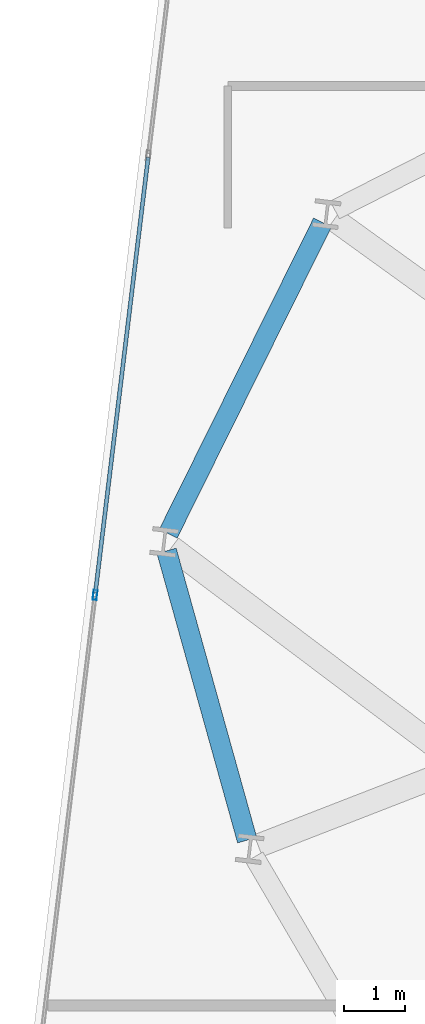
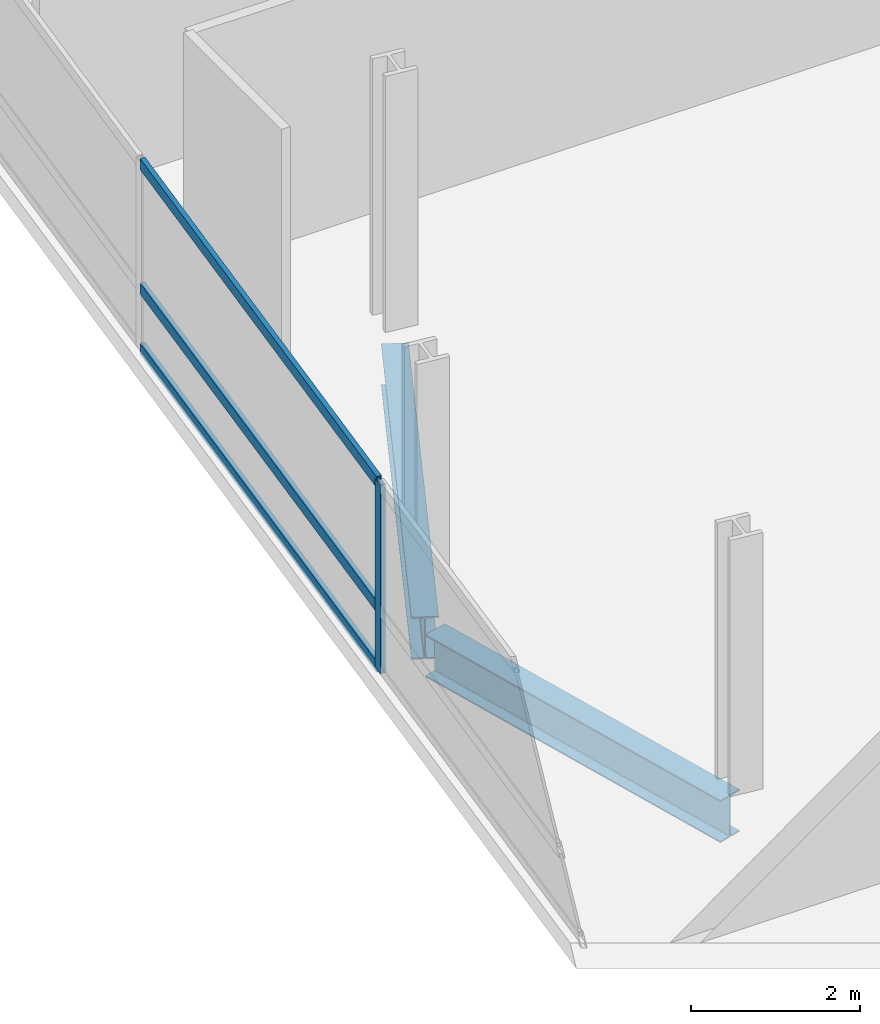
# One storey, part 8 of 26: 4 members, 2 beams, 1 element without a shape of its own.
"""IFC4 building model written with IfcOpenShell, lengths in metres."""

from ifc_helpers import new_model, si_unit, direction, frame, origin, origin_2d, place, context, subcontext, project, spatial, hollow_rectangle, i_section, extrude, material, layer, layer_set, material_profile, profile_set, type_object, element, aggregate, save


model = new_model("IFC4")

# Units and contexts
model_context = context("Model", 3, precision=1e-05, world=origin(), true_north=direction((0.0, 1.0)))
body_context = subcontext(model_context, "Body", "Model", "MODEL_VIEW")
ifc_project = project(units=[si_unit("LENGTHUNIT", "METRE"), si_unit("AREAUNIT", "SQUARE_METRE"), si_unit("VOLUMEUNIT", "CUBIC_METRE"), si_unit("PLANEANGLEUNIT", "RADIAN"), si_unit("MASSUNIT", "GRAM", prefix="KILO")], contexts=[model_context])

# Site, building, storey
site_placement = place(None, origin())
site = spatial("IfcSite", under=ifc_project, at=site_placement, CompositionType="ELEMENT")
building_placement = place(site_placement, origin())
building = spatial("IfcBuilding", under=site, at=building_placement, Name="Varnelok Gate Tower", CompositionType="ELEMENT")
storey_placement = place(building_placement, frame((0.0, 0.0, 151.300048828125)))
storey = spatial("IfcBuildingStorey", under=building, at=storey_placement, Name="L38", CompositionType="ELEMENT", Elevation=151.300048828125)

# Beams
ifc_material_1 = material(Name="Structural Steel ASTM A992 Grade 50", Category="steel")
ifc_material_profile_1 = material_profile(ifc_material_1, i_section(OverallWidth=0.323974609375, OverallDepth=0.611083984375, WebThickness=0.0126953125, FlangeThickness=0.01904296875, FilletRadius=0.01806640625, at=origin_2d()), Name="W24X104")
ifc_profile_set_1 = profile_set([ifc_material_profile_1], Name="Structural Steel ASTM A992 Grade 50")
beam_type = type_object("IfcBeamType", Name="BM-SPN-W24X104", PredefinedType="SPANDREL", material=ifc_profile_set_1)
beam_1_placement = place(storey_placement, frame((6.54052734375, 39.391357421875, -0.5556640625), z_axis=(-0.444186129993, -0.89593452993, 0.0), x_axis=(0.89593452993, -0.444186129993, 0.0)))
element("IfcBeam", 1, at=beam_1_placement, inside=storey, type_object=beam_type, Name="L38 Perimeter Spandrel Beam 14", PredefinedType="SPANDREL", context=body_context, shape_type="SweptSolid", body=[
    extrude(i_section(OverallWidth=0.323974609375, OverallDepth=0.611083984375, WebThickness=0.0126953125, FlangeThickness=0.01904296875, FilletRadius=0.01806640625, at=origin_2d()), origin(), (0.0, 0.0, 1.0), 5.649658203125),
])
beam_2_placement = place(storey_placement, frame((4.004638671875, 34.050537109375, -0.5556640625), z_axis=(0.268350251133, -0.963321411948, 0.0), x_axis=(0.963321411948, 0.268350251133, 0.0)))
element("IfcBeam", 2, at=beam_2_placement, inside=storey, type_object=beam_type, Name="L38 Perimeter Spandrel Beam 15", PredefinedType="SPANDREL", context=body_context, shape_type="SweptSolid", body=[
    extrude(i_section(OverallWidth=0.323974609375, OverallDepth=0.611083984375, WebThickness=0.0126953125, FlangeThickness=0.01904296875, FilletRadius=0.01806640625, at=origin_2d()), origin(), (0.0, 0.0, 1.0), 4.8837890625),
])

# Curtain wall, members
ifc_material_2 = material(Name="Anodized Aluminum Alloy 6063-T6", Category="aluminium")
ifc_layer = layer(ifc_material_2, 0.179931640625)
ifc_layer_set = layer_set([ifc_layer], Name="Anodized Aluminum Alloy 6063-T6")
curtain_wall_type = type_object("IfcCurtainWallType", Name="CW3-HOTEL-VISION", PredefinedType="USERDEFINED", material=ifc_layer_set)
curtain_wall_placement = place(storey_placement, origin())
curtain_wall = element("IfcCurtainWall", 3, at=curtain_wall_placement, inside=storey, type_object=curtain_wall_type, Name="L38 West End Vision Curtain Wall", ObjectType="UNITISED CURTAIN WALL", PredefinedType="USERDEFINED")
ifc_material_profile_2 = material_profile(ifc_material_2, hollow_rectangle(XDim=0.06494140625, YDim=0.159912109375, WallThickness=0.00390625, at=origin_2d()), Name="ALU160X65X4")
ifc_profile_set_2 = profile_set([ifc_material_profile_2], Name="Anodized Aluminum Alloy 6063-T6")
member_type_1 = type_object("IfcMemberType", Name="CW-MULL-160", PredefinedType="MULLION", material=ifc_profile_set_2)
member_1_placement = place(storey_placement, frame((2.842529296875, 33.333740234375, 0.0), z_axis=(0.0, 0.0, 1.0), x_axis=(-0.99273188146, 0.120347046212, 0.0)))
member_1 = element("IfcMember", 4, at=member_1_placement, type_object=member_type_1, Name="CW3 mullion 4", PredefinedType="MULLION", context=body_context, shape_type="SweptSolid", body=[
    extrude(hollow_rectangle(XDim=0.06494140625, YDim=0.159912109375, WallThickness=0.00390625, at=origin_2d()), origin(), (0.0, 0.0, 1.0), 2.72998046875),
])
ifc_material_profile_3 = material_profile(ifc_material_2, hollow_rectangle(XDim=0.06494140625, YDim=0.159912109375, WallThickness=0.00390625, at=origin_2d()), Name="ALU160X65X4")
ifc_profile_set_3 = profile_set([ifc_material_profile_3], Name="Anodized Aluminum Alloy 6063-T6")
member_type_2 = type_object("IfcMemberType", Name="CW-TRAN-160", PredefinedType="USERDEFINED", material=ifc_profile_set_3)
member_2_placement = place(storey_placement, frame((2.846435546875, 33.3662109375, 0.032470703125), z_axis=(0.120344652138, 0.992732171687, 0.0), x_axis=(-0.992732171687, 0.120344652138, 0.0)))
member_2 = element("IfcMember", 5, at=member_2_placement, type_object=member_type_2, Name="CW3 transom 4.1", ObjectType="TRANSOM", PredefinedType="USERDEFINED", context=body_context, shape_type="SweptSolid", body=[
    extrude(hollow_rectangle(XDim=0.06494140625, YDim=0.159912109375, WallThickness=0.00390625, at=origin_2d()), origin(), (0.0, 0.0, 1.0), 7.134765625),
])
member_3_placement = place(storey_placement, frame((2.846435546875, 33.3662109375, 0.89990234375), z_axis=(0.120344652138, 0.992732171687, 0.0), x_axis=(-0.992732171687, 0.120344652138, 0.0)))
member_3 = element("IfcMember", 6, at=member_3_placement, type_object=member_type_2, Name="CW3 transom 4.2", ObjectType="TRANSOM", PredefinedType="USERDEFINED", context=body_context, shape_type="SweptSolid", body=[
    extrude(hollow_rectangle(XDim=0.06494140625, YDim=0.159912109375, WallThickness=0.00390625, at=origin_2d()), origin(), (0.0, 0.0, 1.0), 7.134765625),
])
member_4_placement = place(storey_placement, frame((2.846435546875, 33.3662109375, 2.697509765625), z_axis=(0.120344652138, 0.992732171687, 0.0), x_axis=(-0.992732171687, 0.120344652138, 0.0)))
member_4 = element("IfcMember", 7, at=member_4_placement, type_object=member_type_2, Name="CW3 transom 4.3", ObjectType="TRANSOM", PredefinedType="USERDEFINED", context=body_context, shape_type="SweptSolid", body=[
    extrude(hollow_rectangle(XDim=0.06494140625, YDim=0.159912109375, WallThickness=0.00390625, at=origin_2d()), origin(), (0.0, 0.0, 1.0), 7.134765625),
])
aggregate(curtain_wall, [member_1, member_2, member_3, member_4])

save(model, "model.ifc")
